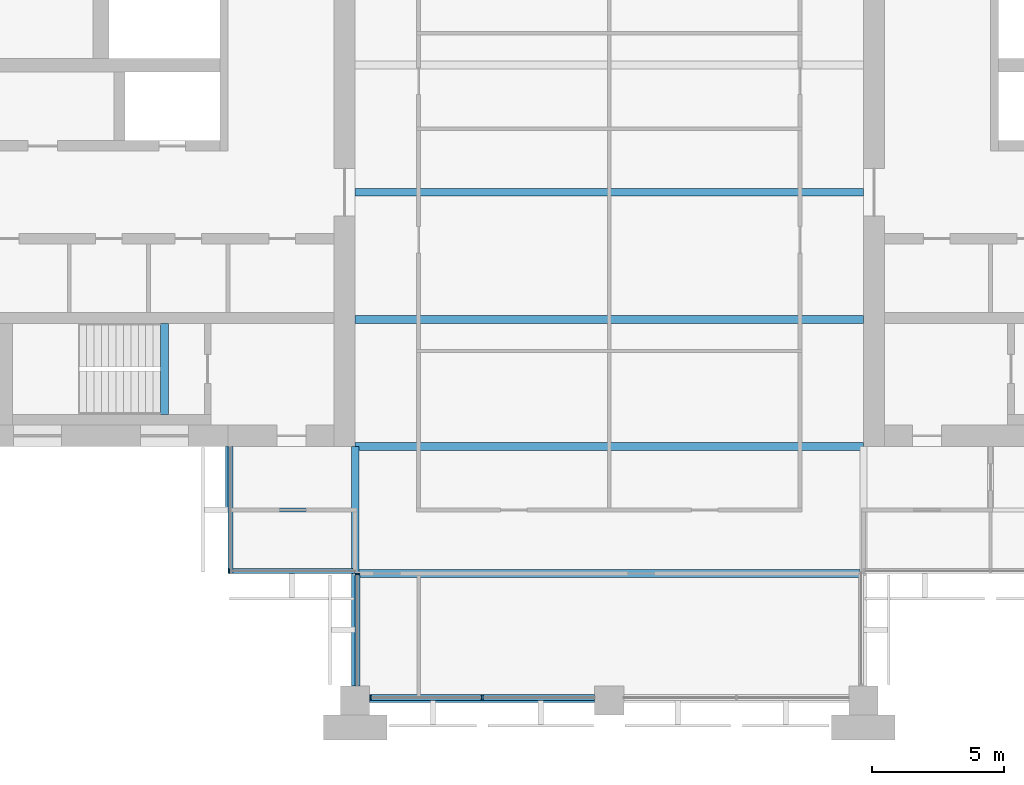
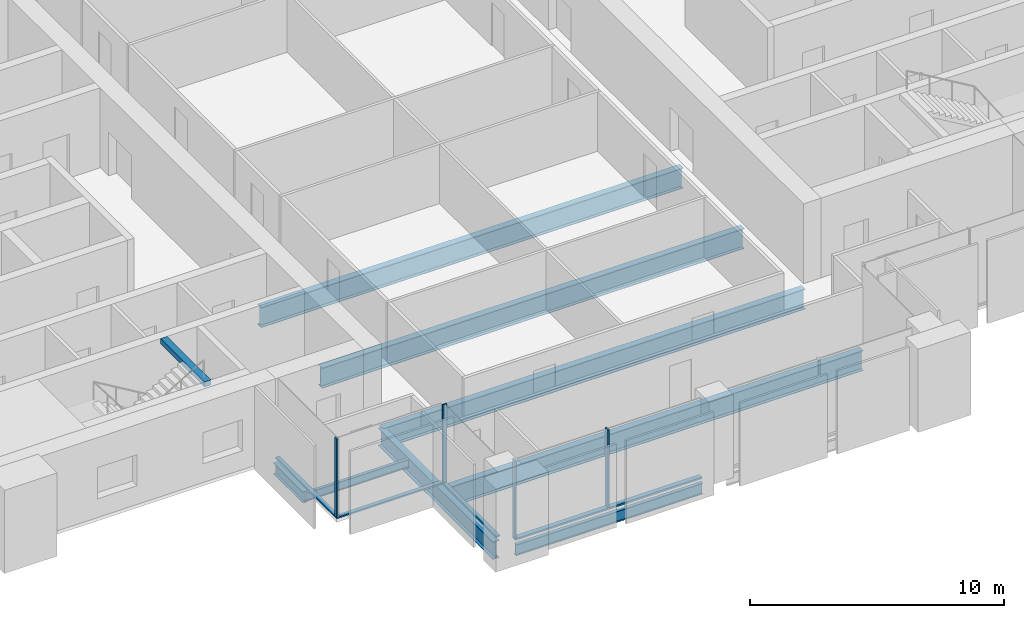
# One storey, part 2 of 13: 9 beams, 8 members, 4 elements without a shape of their own.
"""IFC4 building model written with IfcOpenShell, lengths in metres."""

from ifc_helpers import new_model, si_unit, direction, frame, origin, origin_2d, place, context, subcontext, project, spatial, rectangle, i_section, extrude, material, material_profile, profile_set, type_object, element, aggregate, save


model = new_model("IFC4")

# Units and contexts
model_context = context("Model", 3, precision=1e-05, world=origin(), true_north=direction((0.0, 1.0)))
body_context = subcontext(model_context, "Body", "Model", "MODEL_VIEW")
ifc_project = project(units=[si_unit("LENGTHUNIT", "METRE"), si_unit("AREAUNIT", "SQUARE_METRE"), si_unit("VOLUMEUNIT", "CUBIC_METRE"), si_unit("PLANEANGLEUNIT", "RADIAN"), si_unit("MASSUNIT", "GRAM", prefix="KILO")], contexts=[model_context])

# Site, building, storey
site_placement = place(None, origin())
site = spatial("IfcSite", under=ifc_project, at=site_placement, CompositionType="ELEMENT")
building_placement = place(site_placement, origin())
building = spatial("IfcBuilding", under=site, at=building_placement, Name="Baori Bourse Tower", CompositionType="ELEMENT")
storey_placement = place(building_placement, frame((0.0, 0.0, 229.199951171875)))
storey = spatial("IfcBuildingStorey", under=building, at=storey_placement, Name="L50", CompositionType="ELEMENT", Elevation=229.199951171875)

# Curtain wall, member
ifc_material_1 = material(Name="Pale anodised aluminium", Category="aluminium")
curtain_wall_type_1 = type_object("IfcCurtainWallType", Name="CW2 Curtain wall", PredefinedType="NOTDEFINED", material=ifc_material_1)
curtain_wall_1_placement = place(storey_placement, origin())
curtain_wall_1 = element("IfcCurtainWall", 1, at=curtain_wall_1_placement, inside=storey, type_object=curtain_wall_type_1, Name="Curtain wall CW2 L50 9", PredefinedType="NOTDEFINED")
ifc_material_2 = material(Name="Pale anodised aluminium", Category="aluminium")
ifc_material_profile_1 = material_profile(ifc_material_2, rectangle(XDim=0.179931640625, YDim=0.054931640625, at=origin_2d()), Name="Mullion 55x180")
ifc_profile_set_1 = profile_set([ifc_material_profile_1], Name="Pale anodised aluminium")
member_type_1 = type_object("IfcMemberType", Name="CW2 Curtain wall mullion", PredefinedType="MULLION", material=ifc_profile_set_1)
member_1_placement = place(storey_placement, frame((14.427490234375, 4.889892578125, 0.070068359375), z_axis=(0.0, 0.0, 1.0), x_axis=(0.0, 1.0, 0.0)))
member_1 = element("IfcMember", 2, at=member_1_placement, type_object=member_type_1, Name="Curtain wall CW2 mullion", PredefinedType="MULLION", context=body_context, shape_type="SweptSolid", body=[
    extrude(rectangle(XDim=0.179931640625, YDim=0.054931640625, at=origin_2d()), origin(), (0.0, 0.0, 1.0), 3.77001953125),
])

curtain_wall_2_placement = place(storey_placement, origin())
curtain_wall_2 = element("IfcCurtainWall", 3, at=curtain_wall_2_placement, inside=storey, type_object=curtain_wall_type_1, Name="Curtain wall CW2 L50 10", PredefinedType="NOTDEFINED")
member_2_placement = place(storey_placement, frame((19.2900390625, 4.7724609375, 0.070068359375), z_axis=(0.0, 0.0, 1.0), x_axis=(1.0, 0.0, 0.0)))
member_2 = element("IfcMember", 4, at=member_2_placement, type_object=member_type_1, Name="Curtain wall CW2 mullion", PredefinedType="MULLION", context=body_context, shape_type="SweptSolid", body=[
    extrude(rectangle(XDim=0.179931640625, YDim=0.054931640625, at=origin_2d()), origin(), (0.0, 0.0, 1.0), 3.77001953125),
])

curtain_wall_3_placement = place(storey_placement, origin())
curtain_wall_3 = element("IfcCurtainWall", 5, at=curtain_wall_3_placement, inside=storey, type_object=curtain_wall_type_1, Name="Curtain wall CW2 L50 8", PredefinedType="NOTDEFINED")
ifc_material_3 = material(Name="Pale anodised aluminium", Category="aluminium")
ifc_material_profile_2 = material_profile(ifc_material_3, rectangle(XDim=0.179931640625, YDim=0.070068359375, at=origin_2d()), Name="Transom 70x180")
ifc_profile_set_2 = profile_set([ifc_material_profile_2], Name="Pale anodised aluminium")
member_type_2 = type_object("IfcMemberType", Name="CW2 Curtain wall transom", PredefinedType="USERDEFINED", material=ifc_profile_set_2)
member_3_placement = place(storey_placement, frame((14.489990234375, 9.60009765625, 0.03515625), z_axis=(0.0, -1.0, 0.0), x_axis=(1.0, 0.0, 0.0)))
member_3 = element("IfcMember", 6, at=member_3_placement, type_object=member_type_2, Name="Curtain wall CW2 sill rail", ObjectType="TRANSOM", PredefinedType="USERDEFINED", context=body_context, shape_type="SweptSolid", body=[
    extrude(rectangle(XDim=0.179931640625, YDim=0.070068359375, at=origin_2d()), origin(), (0.0, 0.0, 1.0), 4.800048828125),
])
aggregate(curtain_wall_3, [member_3])

# Member
member_4_placement = place(storey_placement, frame((14.39990234375, 4.889892578125, 0.03515625), z_axis=(1.0, 0.0, 0.0), x_axis=(0.0, 1.0, 0.0)))
member_4 = element("IfcMember", 7, at=member_4_placement, type_object=member_type_2, Name="Curtain wall CW2 sill rail", ObjectType="TRANSOM", PredefinedType="USERDEFINED", context=body_context, shape_type="SweptSolid", body=[
    extrude(rectangle(XDim=0.179931640625, YDim=0.070068359375, at=origin_2d()), origin(), (0.0, 0.0, 1.0), 4.800048828125),
])

aggregate(curtain_wall_1, [member_4, member_1])

member_5_placement = place(storey_placement, frame((19.2900390625, 4.800048828125, 0.03515625), z_axis=(0.0, -1.0, 0.0), x_axis=(1.0, 0.0, 0.0)))
member_5 = element("IfcMember", 8, at=member_5_placement, type_object=member_type_2, Name="Curtain wall CW2 sill rail", ObjectType="TRANSOM", PredefinedType="USERDEFINED", context=body_context, shape_type="SweptSolid", body=[
    extrude(rectangle(XDim=0.179931640625, YDim=0.070068359375, at=origin_2d()), origin(), (0.0, 0.0, 1.0), 4.25),
])

aggregate(curtain_wall_2, [member_5, member_2])

# Curtain wall, members
ifc_material_4 = material(Name="Pale anodised aluminium", Category="aluminium")
curtain_wall_type_2 = type_object("IfcCurtainWallType", Name="CW5 Curtain wall", PredefinedType="NOTDEFINED", material=ifc_material_4)
curtain_wall_4_placement = place(storey_placement, origin())
curtain_wall_4 = element("IfcCurtainWall", 9, at=curtain_wall_4_placement, inside=storey, type_object=curtain_wall_type_2, Name="Curtain wall CW5 L50 11", PredefinedType="NOTDEFINED")
ifc_material_5 = material(Name="Pale anodised aluminium", Category="aluminium")
ifc_material_profile_3 = material_profile(ifc_material_5, rectangle(XDim=0.219970703125, YDim=0.06494140625, at=origin_2d()), Name="Mullion 65x220")
ifc_profile_set_3 = profile_set([ifc_material_profile_3], Name="Pale anodised aluminium")
member_type_3 = type_object("IfcMemberType", Name="CW5 Curtain wall mullion", PredefinedType="MULLION", material=ifc_profile_set_3)
member_6_placement = place(storey_placement, frame((19.782470703125, 0.110107421875, 0.0849609375), z_axis=(0.0, 0.0, 1.0), x_axis=(0.0, 1.0, 0.0)))
member_6 = element("IfcMember", 10, at=member_6_placement, type_object=member_type_3, Name="Curtain wall CW5 mullion", PredefinedType="MULLION", context=body_context, shape_type="SweptSolid", body=[
    extrude(rectangle(XDim=0.219970703125, YDim=0.06494140625, at=origin_2d()), origin(), (0.0, 0.0, 1.0), 3.755126953125),
])
member_7_placement = place(storey_placement, frame((24.0, 0.110107421875, 0.0849609375), z_axis=(0.0, 0.0, 1.0), x_axis=(0.0, 1.0, 0.0)))
member_7 = element("IfcMember", 11, at=member_7_placement, type_object=member_type_3, Name="Curtain wall CW5 mullion", PredefinedType="MULLION", context=body_context, shape_type="SweptSolid", body=[
    extrude(rectangle(XDim=0.219970703125, YDim=0.06494140625, at=origin_2d()), origin(), (0.0, 0.0, 1.0), 3.755126953125),
])
ifc_material_6 = material(Name="Pale anodised aluminium", Category="aluminium")
ifc_material_profile_4 = material_profile(ifc_material_6, rectangle(XDim=0.219970703125, YDim=0.0849609375, at=origin_2d()), Name="Transom 85x220")
ifc_profile_set_4 = profile_set([ifc_material_profile_4], Name="Pale anodised aluminium")
member_type_4 = type_object("IfcMemberType", Name="CW5 Curtain wall transom", PredefinedType="USERDEFINED", material=ifc_profile_set_4)
member_8_placement = place(storey_placement, frame((19.75, 0.110107421875, 0.04248046875), z_axis=(1.0, 0.0, 0.0), x_axis=(0.0, 1.0, 0.0)))
member_8 = element("IfcMember", 12, at=member_8_placement, type_object=member_type_4, Name="Curtain wall CW5 sill rail", ObjectType="TRANSOM", PredefinedType="USERDEFINED", context=body_context, shape_type="SweptSolid", body=[
    extrude(rectangle(XDim=0.219970703125, YDim=0.0849609375, at=origin_2d()), origin(), (0.0, 0.0, 1.0), 8.5),
])
aggregate(curtain_wall_4, [member_8, member_6, member_7])

# Beams
ifc_material_7 = material(Name="Steel A992 Gr 50", Category="steel")
ifc_material_profile_5 = material_profile(ifc_material_7, i_section(OverallWidth=0.21240234375, OverallDepth=0.54345703125, WebThickness=0.01318359375, FlangeThickness=0.021240234375, at=origin_2d()), Name="W21x83")
ifc_profile_set_5 = profile_set([ifc_material_profile_5], Name="Steel A992 Gr 50")
beam_type_1 = type_object("IfcBeamType", Name="Core bracket W21x83", PredefinedType="BEAM", material=ifc_profile_set_5)
beam_1_placement = place(storey_placement, frame((14.39990234375, 7.270263671875, -0.431640625), z_axis=(0.0, 1.0, 0.0), x_axis=(-1.0, 0.0, 0.0)))
element("IfcBeam", 13, at=beam_1_placement, inside=storey, type_object=beam_type_1, Name="Core bracket L50", PredefinedType="BEAM", context=body_context, shape_type="SweptSolid", body=[
    extrude(i_section(OverallWidth=0.21240234375, OverallDepth=0.54345703125, WebThickness=0.01318359375, FlangeThickness=0.021240234375, at=origin_2d()), origin(), (0.0, 0.0, 1.0), 2.329833984375),
])
ifc_material_8 = material(Name="Steel A992 Gr 50", Category="steel")
ifc_material_profile_6 = material_profile(ifc_material_8, i_section(OverallWidth=0.1650390625, OverallDepth=0.52587890625, WebThickness=0.0087890625, FlangeThickness=0.011474609375, at=origin_2d()), Name="W21x44")
ifc_profile_set_6 = profile_set([ifc_material_profile_6], Name="Steel A992 Gr 50")
beam_type_2 = type_object("IfcBeamType", Name="Edge beam W21x44", PredefinedType="BEAM", material=ifc_profile_set_6)
beam_2_placement = place(storey_placement, frame((19.75, 0.0, -0.4228515625), z_axis=(1.0, 0.0, 0.0), x_axis=(0.0, 1.0, 0.0)))
element("IfcBeam", 14, at=beam_2_placement, inside=storey, type_object=beam_type_2, Name="Edge beam L50", PredefinedType="BEAM", context=body_context, shape_type="SweptSolid", body=[
    extrude(i_section(OverallWidth=0.1650390625, OverallDepth=0.52587890625, WebThickness=0.0087890625, FlangeThickness=0.011474609375, at=origin_2d()), origin(), (0.0, 0.0, 1.0), 8.5),
])
ifc_material_9 = material(Name="Steel A992 Gr 50", Category="steel")
ifc_material_profile_7 = material_profile(ifc_material_9, i_section(OverallWidth=0.2998046875, OverallDepth=0.97021484375, WebThickness=0.01611328125, FlangeThickness=0.02099609375, at=origin_2d()), Name="W40x149")
ifc_profile_set_7 = profile_set([ifc_material_profile_7], Name="Steel A992 Gr 50")
beam_type_3 = type_object("IfcBeamType", Name="Floor beam W40x149", PredefinedType="BEAM", material=ifc_profile_set_7)
beam_3_placement = place(storey_placement, frame((19.345947265625, 4.800048828125, -0.64501953125), z_axis=(1.0, 0.0, 0.0), x_axis=(0.0, 1.0, 0.0)))
element("IfcBeam", 15, at=beam_3_placement, inside=storey, type_object=beam_type_3, Name="Floor beam L50", PredefinedType="BEAM", context=body_context, shape_type="SweptSolid", body=[
    extrude(i_section(OverallWidth=0.2998046875, OverallDepth=0.97021484375, WebThickness=0.01611328125, FlangeThickness=0.02099609375, at=origin_2d()), origin(), (0.0, 0.0, 1.0), 18.920654296875),
])
for number, where, z_axis, x_axis, name in (
    (16, (19.199951171875, 9.60009765625, -0.64501953125), (1.0, 0.0, 0.0), (0.0, 1.0, 0.0), "Floor beam L50"),
    (17, (19.199951171875, 14.39990234375, -0.64501953125), (1.0, 0.0, 0.0), (0.0, 1.0, 0.0), "Floor beam L50"),
    (18, (19.199951171875, 19.199951171875, -0.64501953125), (1.0, 0.0, 0.0), (0.0, 1.0, 0.0), "Floor beam L50"),
):
    element("IfcBeam", number, at=place(storey_placement, frame(where, z_axis=z_axis, x_axis=x_axis)), inside=storey, type_object=beam_type_3, Name=name, PredefinedType="BEAM", context=body_context, shape_type="SweptSolid", body=[
        extrude(i_section(OverallWidth=0.2998046875, OverallDepth=0.97021484375, WebThickness=0.01611328125, FlangeThickness=0.02099609375, at=origin_2d()), origin(), (0.0, 0.0, 1.0), 19.199951171875),
    ])
ifc_material_10 = material(Name="Steel A992 Gr 50", Category="steel")
ifc_material_profile_8 = material_profile(ifc_material_10, i_section(OverallWidth=0.2919921875, OverallDepth=0.835693359375, WebThickness=0.013916015625, FlangeThickness=0.018798828125, at=origin_2d()), Name="W33x118")
ifc_profile_set_8 = profile_set([ifc_material_profile_8], Name="Steel A992 Gr 50")
beam_type_4 = type_object("IfcBeamType", Name="Girder W33x118", PredefinedType="BEAM", material=ifc_profile_set_8)
beam_4_placement = place(storey_placement, frame((19.199951171875, 0.550048828125, -0.577880859375), z_axis=(0.0, 1.0, 0.0), x_axis=(-1.0, 0.0, 0.0)))
element("IfcBeam", 19, at=beam_4_placement, inside=storey, type_object=beam_type_4, Name="Girder L50", PredefinedType="BEAM", context=body_context, shape_type="SweptSolid", body=[
    extrude(i_section(OverallWidth=0.2919921875, OverallDepth=0.835693359375, WebThickness=0.013916015625, FlangeThickness=0.018798828125, at=origin_2d()), origin(), (0.0, 0.0, 1.0), 9.050048828125),
])
ifc_material_11 = material(Name="Concrete f'c 50 MPa", Category="concrete")
ifc_material_profile_9 = material_profile(ifc_material_11, rectangle(XDim=0.300048828125, YDim=0.25, at=origin_2d()), Name="RC 300x250")
ifc_profile_set_9 = profile_set([ifc_material_profile_9], Name="Concrete f'c 50 MPa")
beam_type_5 = type_object("IfcBeamType", Name="Stair nib beam RC 300x250", PredefinedType="BEAM", material=ifc_profile_set_9)
beam_5_placement = place(storey_placement, frame((12.0, 10.800048828125, 3.715087890625), z_axis=(0.0, 1.0, 0.0), x_axis=(-1.0, 0.0, 0.0)))
element("IfcBeam", 20, at=beam_5_placement, inside=storey, type_object=beam_type_5, Name="Stair WA nib beam L51", PredefinedType="BEAM", context=body_context, shape_type="SweptSolid", body=[
    extrude(rectangle(XDim=0.300048828125, YDim=0.25, at=origin_2d()), origin(), (0.0, 0.0, 1.0), 3.449951171875),
])
ifc_material_12 = material(Name="Steel A992 Gr 50", Category="steel")
ifc_material_profile_10 = material_profile(ifc_material_12, i_section(OverallWidth=0.140380859375, OverallDepth=0.40380859375, WebThickness=0.007080078125, FlangeThickness=0.01123046875, at=origin_2d()), Name="W16x31")
ifc_profile_set_10 = profile_set([ifc_material_profile_10], Name="Steel A992 Gr 50")
beam_type_6 = type_object("IfcBeamType", Name="Trimmer beam W16x31", PredefinedType="BEAM", material=ifc_profile_set_10)
beam_6_placement = place(storey_placement, frame((14.39990234375, 7.199951171875, -0.36181640625), z_axis=(1.0, 0.0, 0.0), x_axis=(0.0, 1.0, 0.0)))
element("IfcBeam", 21, at=beam_6_placement, inside=storey, type_object=beam_type_6, Name="Trimmer beam L50", PredefinedType="BEAM", context=body_context, shape_type="SweptSolid", body=[
    extrude(i_section(OverallWidth=0.140380859375, OverallDepth=0.40380859375, WebThickness=0.007080078125, FlangeThickness=0.01123046875, at=origin_2d()), origin(), (0.0, 0.0, 1.0), 4.654052734375),
])

save(model, "model.ifc")
